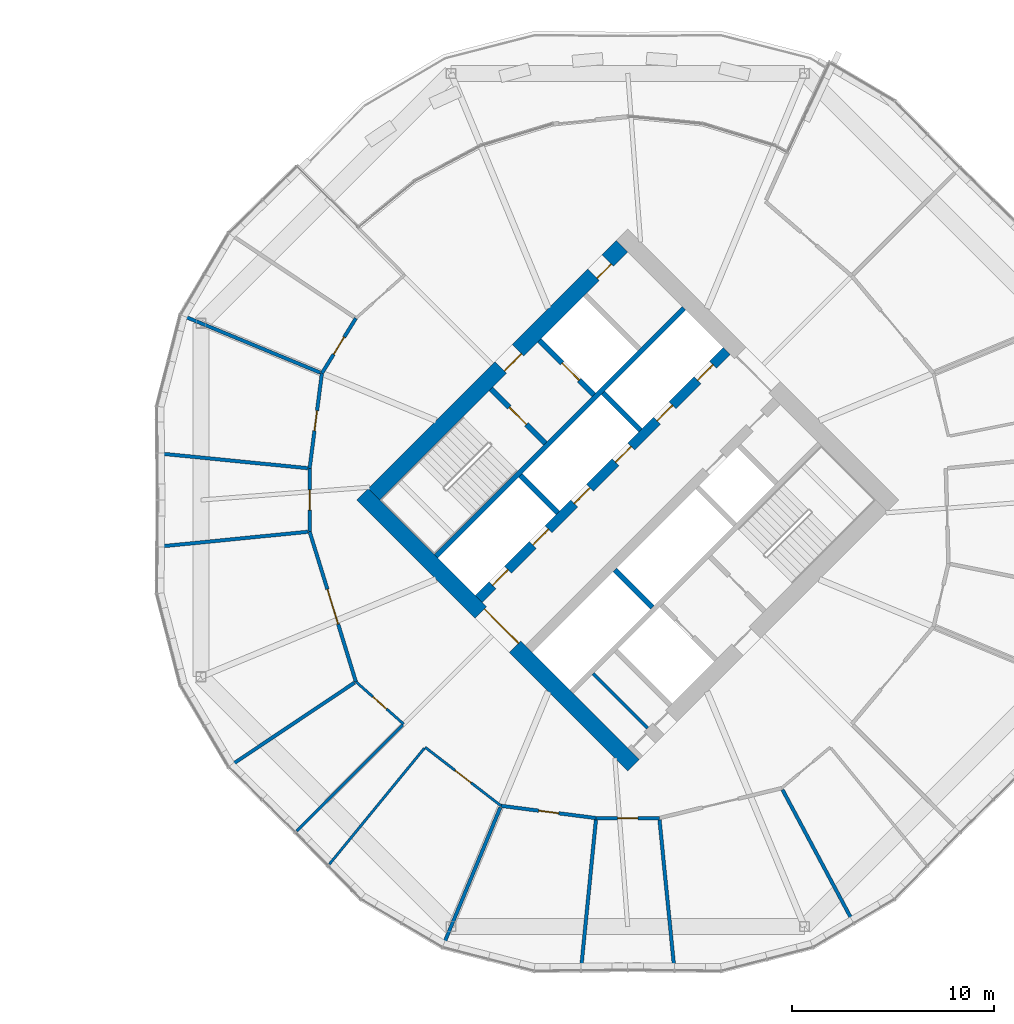
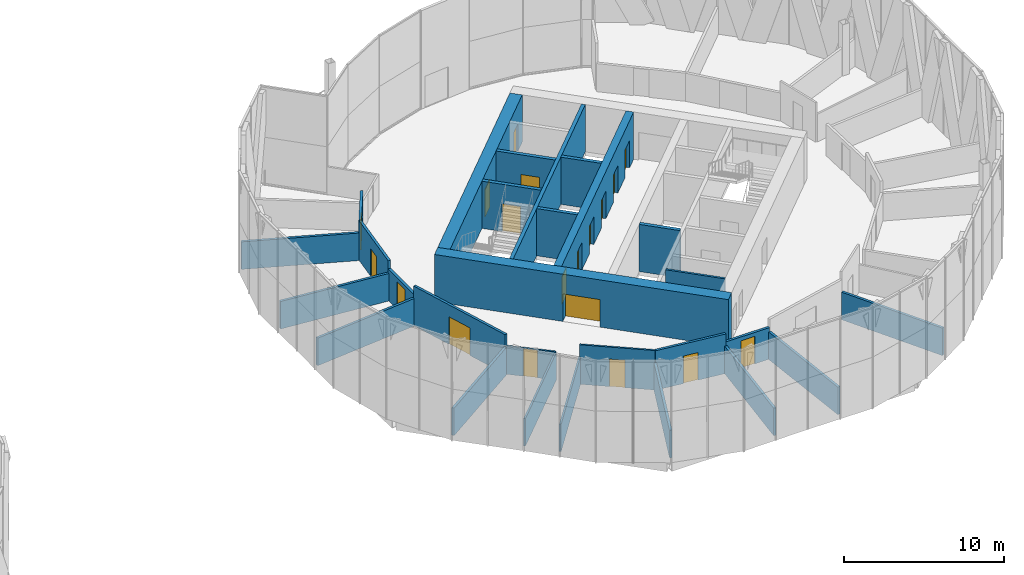
# One storey, part 24 of 31: 28 walls, 19 doors, 19 openings.
"""IFC4 building model written with IfcOpenShell, lengths in metres."""

from ifc_helpers import new_model, si_unit, direction, frame, frame_2d, origin, place, context, subcontext, project, spatial, rectangle, extrude, material, layer, layer_set, type_object, element, fill, save


model = new_model("IFC4")

# Units and contexts
model_context = context("Model", 3, precision=1e-05, world=origin(), true_north=direction((0.0, 1.0)))
body_context = subcontext(model_context, "Body", "Model", "MODEL_VIEW")
ifc_project = project(units=[si_unit("LENGTHUNIT", "METRE"), si_unit("AREAUNIT", "SQUARE_METRE"), si_unit("VOLUMEUNIT", "CUBIC_METRE"), si_unit("PLANEANGLEUNIT", "RADIAN"), si_unit("MASSUNIT", "GRAM", prefix="KILO")], contexts=[model_context])

# Site, building, storey
site_placement = place(None, origin())
site = spatial("IfcSite", under=ifc_project, at=site_placement, CompositionType="ELEMENT")
building_placement = place(site_placement, origin())
building = spatial("IfcBuilding", under=site, at=building_placement, Name="Ogive Gate Towers", CompositionType="ELEMENT")
storey_placement = place(building_placement, frame((0.0, 0.0, 63.60009765625)))
storey = spatial("IfcBuildingStorey", under=building, at=storey_placement, Name="L14", CompositionType="ELEMENT", Elevation=63.60009765625)

# Walls
ifc_material_1 = material(Name="Gypsum board acoustic partition")
ifc_layer_1 = layer(ifc_material_1, 0.175048828125)
ifc_layer_set_1 = layer_set([ifc_layer_1], Name="Acoustic partition 175")
wall_type_1 = type_object("IfcWallType", Name="Acoustic partition 175", PredefinedType="PARTITIONING", material=ifc_layer_set_1)
for number, where, z_axis, x_axis, name in (
    (1, (13.909912109375, 9.14990234375, 0.0), (0.0, 0.0, 1.0), (0.92387943858, -0.382683659136, 0.0), "Partition T2-L14-008"),
    (2, (12.768310546875, 2.308837890625, 0.0), (0.0, 0.0, 1.0), (0.995098680944, -0.098886880746, 0.0), "Partition T2-L14-009"),
    (3, (12.768310546875, -2.308837890625, 0.0), (0.0, 0.0, 1.0), (0.995098680944, 0.098886880746, 0.0), "Partition T2-L14-010"),
    (4, (16.290283203125, -13.1787109375, 0.0), (0.0, 0.0, 1.0), (0.831293938964, 0.55583305681, 0.0), "Partition T2-L14-011"),
    (5, (26.85009765625, -22.090087890625, 0.0), (0.0, 0.0, 1.0), (0.382683659136, 0.92387943858, 0.0), "Partition T2-L14-014"),
    (6, (33.691162109375, -23.231689453125, 0.0), (0.0, 0.0, 1.0), (0.098886880746, 0.995098680944, 0.0), "Partition T2-L14-015"),
    (7, (38.308837890625, -23.231689453125, 0.0), (0.0, 0.0, 1.0), (-0.098886880746, 0.995098680944, 0.0), "Partition T2-L14-016"),
    (8, (47.1640625, -20.8994140625, 0.0), (0.0, 0.0, 1.0), (-0.471152705677, 0.882051658313, 0.0), "Partition T2-L14-017"),
):
    element("IfcWall", number, at=place(storey_placement, frame(where, z_axis=z_axis, x_axis=x_axis)), inside=storey, type_object=wall_type_1, Name=name, PredefinedType="PARTITIONING", context=body_context, shape_type="SweptSolid", body=[
        extrude(rectangle(XDim=7.40673828125, YDim=0.175048828125, at=frame_2d((3.703369140625, 0.0))), origin(), (0.0, 0.0, 1.0), 2.099853515625),
    ])

# Wall, opening, door
wall_1_placement = place(storey_placement, frame((37.567626953125, -15.7744140625, 0.0), z_axis=(0.0, 0.0, 1.0), x_axis=(-1.0, 0.0, 0.0)))
wall_1 = element("IfcWall", 9, at=wall_1_placement, inside=storey, type_object=wall_type_1, Name="Partition T2-L14-030", PredefinedType="PARTITIONING", context=body_context, shape_type="SweptSolid", body=[
    extrude(rectangle(XDim=3.13525390625, YDim=0.175048828125, at=frame_2d((1.567626953125, 0.0))), origin(), (0.0, 0.0, 1.0), 2.39990234375),
])
opening_1_placement = place(wall_1_placement, frame((1.068115234375, 0.0, 0.0)))
opening_1 = element("IfcOpeningElement", 10, at=opening_1_placement, cuts=wall_1, Name="Opening T2-L14-D09", PredefinedType="OPENING", context=body_context, shape_type="SweptSolid", body=[
    extrude(rectangle(XDim=1.0, YDim=2.10009765625, at=frame_2d((0.5, 1.050048828125))), frame((0.0, 0.09765625, 0.0), z_axis=(0.0, -1.0, 0.0), x_axis=(1.0, 0.0, 0.0)), (0.0, 0.0, 1.0), 0.195068359375),
])
ifc_material_2 = material(Name="Timber door", Category="wood")
door_type_1 = type_object("IfcDoorType", Name="Door 1000", OperationType="NOTDEFINED", PredefinedType="DOOR", material=ifc_material_2)
door_1_placement = place(opening_1_placement, origin())
door_1 = element("IfcDoor", 11, at=door_1_placement, inside=storey, type_object=door_type_1, Name="Door T2-L14-D09", OperationType="SINGLE_SWING_LEFT", OverallHeight=2.10009765625, OverallWidth=1.0, PredefinedType="DOOR", context=body_context, shape_type="SweptSolid", body=[
    extrude(rectangle(XDim=1.0, YDim=2.10009765625, at=frame_2d((0.5, 1.050048828125))), frame((0.0, 0.02490234375, 0.0), z_axis=(0.0, -1.0, 0.0), x_axis=(1.0, 0.0, 0.0)), (0.0, 0.0, 1.0), 0.050048828125),
])
fill(opening_1, door_1)

wall_2_placement = place(storey_placement, frame((34.432373046875, -15.7744140625, 0.0), z_axis=(0.0, 0.0, 1.0), x_axis=(-0.991781861483, 0.127940373742, 0.0)))
wall_2 = element("IfcWall", 12, at=wall_2_placement, inside=storey, type_object=wall_type_1, Name="Partition T2-L14-031", PredefinedType="PARTITIONING", context=body_context, shape_type="SweptSolid", body=[
    extrude(rectangle(XDim=4.75341796875, YDim=0.175048828125, at=frame_2d((2.376708984375, 0.0))), origin(), (0.0, 0.0, 1.0), 3.010009765625),
])
opening_2_placement = place(wall_2_placement, frame((1.876953125, 0.0, 0.0)))
opening_2 = element("IfcOpeningElement", 13, at=opening_2_placement, cuts=wall_2, Name="Opening T2-L14-D10", PredefinedType="OPENING", context=body_context, shape_type="SweptSolid", body=[
    extrude(rectangle(XDim=1.0, YDim=2.10009765625, at=frame_2d((0.5, 1.050048828125))), frame((0.0, 0.09765625, 0.0), z_axis=(0.0, -1.0, 0.0), x_axis=(1.0, 0.0, 0.0)), (0.0, 0.0, 1.0), 0.195068359375),
])
door_2_placement = place(opening_2_placement, origin())
door_2 = element("IfcDoor", 14, at=door_2_placement, inside=storey, type_object=door_type_1, Name="Door T2-L14-D10", OperationType="SINGLE_SWING_RIGHT", OverallHeight=2.10009765625, OverallWidth=1.0, PredefinedType="DOOR", context=body_context, shape_type="SweptSolid", body=[
    extrude(rectangle(XDim=1.0, YDim=2.10009765625, at=frame_2d((0.5, 1.050048828125))), frame((0.0, 0.02490234375, 0.0), z_axis=(0.0, -1.0, 0.0), x_axis=(1.0, 0.0, 0.0)), (0.0, 0.0, 1.0), 0.050048828125),
])
fill(opening_2, door_2)

wall_3_placement = place(storey_placement, frame((22.520263671875, -9.012939453125, 0.0), z_axis=(0.0, 0.0, 1.0), x_axis=(-0.294532829229, 0.955641361865, 0.0)))
wall_3 = element("IfcWall", 15, at=wall_3_placement, inside=storey, type_object=wall_type_1, Name="Partition T2-L14-034", PredefinedType="PARTITIONING", context=body_context, shape_type="SweptSolid", body=[
    extrude(rectangle(XDim=7.791015625, YDim=0.175048828125, at=frame_2d((3.8955078125, 0.0))), origin(), (0.0, 0.0, 1.0), 3.010009765625),
])
opening_3_placement = place(wall_3_placement, frame((2.9951171875, 0.0, 0.0)))
opening_3 = element("IfcOpeningElement", 16, at=opening_3_placement, cuts=wall_3, Name="Opening T2-L14-D13", PredefinedType="OPENING", context=body_context, shape_type="SweptSolid", body=[
    extrude(rectangle(XDim=1.800048828125, YDim=2.10009765625, at=frame_2d((0.89990234375, 1.050048828125))), frame((0.0, 0.09765625, 0.0), z_axis=(0.0, -1.0, 0.0), x_axis=(1.0, 0.0, 0.0)), (0.0, 0.0, 1.0), 0.195068359375),
])
door_type_2 = type_object("IfcDoorType", Name="Door pair 1800", OperationType="NOTDEFINED", PredefinedType="DOOR", material=ifc_material_2)
door_3_placement = place(opening_3_placement, origin())
door_3 = element("IfcDoor", 17, at=door_3_placement, inside=storey, type_object=door_type_2, Name="Door T2-L14-D13", OperationType="DOUBLE_DOOR_DOUBLE_SWING", OverallHeight=2.10009765625, OverallWidth=1.800048828125, PredefinedType="DOOR", context=body_context, shape_type="SweptSolid", body=[
    extrude(rectangle(XDim=1.800048828125, YDim=2.10009765625, at=frame_2d((0.89990234375, 1.050048828125))), frame((0.0, 0.02490234375, 0.0), z_axis=(0.0, -1.0, 0.0), x_axis=(1.0, 0.0, 0.0)), (0.0, 0.0, 1.0), 0.050048828125),
])
fill(opening_3, door_3)

wall_4_placement = place(storey_placement, frame((20.2255859375, -1.567626953125, 0.0), z_axis=(0.0, 0.0, 1.0), x_axis=(0.0, 1.0, 0.0)))
wall_4 = element("IfcWall", 18, at=wall_4_placement, inside=storey, type_object=wall_type_1, Name="Partition T2-L14-035", PredefinedType="PARTITIONING", context=body_context, shape_type="SweptSolid", body=[
    extrude(rectangle(XDim=3.13525390625, YDim=0.175048828125, at=frame_2d((1.567626953125, 0.0))), origin(), (0.0, 0.0, 1.0), 2.39990234375),
])
opening_4_placement = place(wall_4_placement, frame((1.068115234375, 0.0, 0.0)))
opening_4 = element("IfcOpeningElement", 19, at=opening_4_placement, cuts=wall_4, Name="Opening T2-L14-D14", PredefinedType="OPENING", context=body_context, shape_type="SweptSolid", body=[
    extrude(rectangle(XDim=1.0, YDim=2.10009765625, at=frame_2d((0.5, 1.050048828125))), frame((0.0, 0.09765625, 0.0), z_axis=(0.0, -1.0, 0.0), x_axis=(1.0, 0.0, 0.0)), (0.0, 0.0, 1.0), 0.195068359375),
])
door_4_placement = place(opening_4_placement, origin())
door_4 = element("IfcDoor", 20, at=door_4_placement, inside=storey, type_object=door_type_1, Name="Door T2-L14-D14", OperationType="SINGLE_SWING_LEFT", OverallHeight=2.10009765625, OverallWidth=1.0, PredefinedType="DOOR", context=body_context, shape_type="SweptSolid", body=[
    extrude(rectangle(XDim=1.0, YDim=2.10009765625, at=frame_2d((0.5, 1.050048828125))), frame((0.0, 0.02490234375, 0.0), z_axis=(0.0, -1.0, 0.0), x_axis=(1.0, 0.0, 0.0)), (0.0, 0.0, 1.0), 0.050048828125),
])
fill(opening_4, door_4)

wall_5_placement = place(storey_placement, frame((20.2255859375, 1.567626953125, 0.0), z_axis=(0.0, 0.0, 1.0), x_axis=(0.127940373742, 0.991781861483, 0.0)))
wall_5 = element("IfcWall", 21, at=wall_5_placement, inside=storey, type_object=wall_type_1, Name="Partition T2-L14-036", PredefinedType="PARTITIONING", context=body_context, shape_type="SweptSolid", body=[
    extrude(rectangle(XDim=4.75341796875, YDim=0.175048828125, at=frame_2d((2.376708984375, 0.0))), origin(), (0.0, 0.0, 1.0), 3.010009765625),
])
opening_5_placement = place(wall_5_placement, frame((1.876953125, 0.0, 0.0)))
opening_5 = element("IfcOpeningElement", 22, at=opening_5_placement, cuts=wall_5, Name="Opening T2-L14-D15", PredefinedType="OPENING", context=body_context, shape_type="SweptSolid", body=[
    extrude(rectangle(XDim=1.0, YDim=2.10009765625, at=frame_2d((0.5, 1.050048828125))), frame((0.0, 0.09765625, 0.0), z_axis=(0.0, -1.0, 0.0), x_axis=(1.0, 0.0, 0.0)), (0.0, 0.0, 1.0), 0.195068359375),
])
door_5_placement = place(opening_5_placement, origin())
door_5 = element("IfcDoor", 23, at=door_5_placement, inside=storey, type_object=door_type_1, Name="Door T2-L14-D15", OperationType="SINGLE_SWING_LEFT", OverallHeight=2.10009765625, OverallWidth=1.0, PredefinedType="DOOR", context=body_context, shape_type="SweptSolid", body=[
    extrude(rectangle(XDim=1.0, YDim=2.10009765625, at=frame_2d((0.5, 1.050048828125))), frame((0.0, 0.02490234375, 0.0), z_axis=(0.0, -1.0, 0.0), x_axis=(1.0, 0.0, 0.0)), (0.0, 0.0, 1.0), 0.050048828125),
])
fill(opening_5, door_5)

wall_6_placement = place(storey_placement, frame((20.833740234375, 6.281982421875, 0.0), z_axis=(0.0, 0.0, 1.0), x_axis=(0.525437821433, 0.850832002106, 0.0)))
wall_6 = element("IfcWall", 24, at=wall_6_placement, inside=storey, type_object=wall_type_1, Name="Partition T2-L14-037", PredefinedType="PARTITIONING", context=body_context, shape_type="SweptSolid", body=[
    extrude(rectangle(XDim=3.209716796875, YDim=0.175048828125, at=frame_2d((1.60498046875, 0.0))), origin(), (0.0, 0.0, 1.0), 3.010009765625),
])
opening_6_placement = place(wall_6_placement, frame((1.10498046875, 0.0, 0.0)))
opening_6 = element("IfcOpeningElement", 25, at=opening_6_placement, cuts=wall_6, Name="Opening T2-L14-D16", PredefinedType="OPENING", context=body_context, shape_type="SweptSolid", body=[
    extrude(rectangle(XDim=1.0, YDim=2.10009765625, at=frame_2d((0.5, 1.050048828125))), frame((0.0, 0.09765625, 0.0), z_axis=(0.0, -1.0, 0.0), x_axis=(1.0, 0.0, 0.0)), (0.0, 0.0, 1.0), 0.195068359375),
])
door_6_placement = place(opening_6_placement, origin())
door_6 = element("IfcDoor", 26, at=door_6_placement, inside=storey, type_object=door_type_1, Name="Door T2-L14-D16", OperationType="SINGLE_SWING_RIGHT", OverallHeight=2.10009765625, OverallWidth=1.0, PredefinedType="DOOR", context=body_context, shape_type="SweptSolid", body=[
    extrude(rectangle(XDim=1.0, YDim=2.10009765625, at=frame_2d((0.5, 1.050048828125))), frame((0.0, 0.02490234375, 0.0), z_axis=(0.0, -1.0, 0.0), x_axis=(1.0, 0.0, 0.0)), (0.0, 0.0, 1.0), 0.050048828125),
])
fill(opening_6, door_6)

# Wall, openings, doors
ifc_material_3 = material(Name="Concrete C60/75", Category="concrete")
ifc_layer_2 = layer(ifc_material_3, 0.800048828125)
ifc_layer_set_2 = layer_set([ifc_layer_2], Name="Core wall 800 mm")
wall_type_2 = type_object("IfcWallType", Name="Core wall 800 mm", PredefinedType="SHEAR", material=ifc_layer_set_2)
wall_7_placement = place(storey_placement, frame((23.41357421875, 0.28271484375, 0.0), z_axis=(0.0, 0.0, 1.0), x_axis=(0.707106781187, 0.707106781187, 0.0)))
wall_7 = element("IfcWall", 27, at=wall_7_placement, inside=storey, type_object=wall_type_2, Name="T2 L14 Core wall 800 mm", PredefinedType="SHEAR", context=body_context, shape_type="SweptSolid", body=[
    extrude(rectangle(XDim=17.400146484375, YDim=0.800048828125, at=frame_2d((8.7001953125, 0.0))), origin(), (0.0, 0.0, 1.0), 3.599853515625),
])
opening_7_placement = place(wall_7_placement, frame((8.89990234375, 0.0, 0.0)))
opening_7 = element("IfcOpeningElement", 28, at=opening_7_placement, cuts=wall_7, Name="Opening KD-T2-L14-15", PredefinedType="OPENING", context=body_context, shape_type="SweptSolid", body=[
    extrude(rectangle(XDim=1.199951171875, YDim=2.10009765625, at=frame_2d((0.60009765625, 1.050048828125))), frame((0.0, 0.41015625, 0.0), z_axis=(0.0, -1.0, 0.0), x_axis=(1.0, 0.0, 0.0)), (0.0, 0.0, 1.0), 0.820068359375),
])
opening_8_placement = place(wall_7_placement, frame((15.39990234375, 0.0, 0.0)))
opening_8 = element("IfcOpeningElement", 29, at=opening_8_placement, cuts=wall_7, Name="Opening KD-T2-L14-17", PredefinedType="OPENING", context=body_context, shape_type="SweptSolid", body=[
    extrude(rectangle(XDim=1.0, YDim=2.10009765625, at=frame_2d((0.5, 1.050048828125))), frame((0.0, 0.41015625, 0.0), z_axis=(0.0, -1.0, 0.0), x_axis=(1.0, 0.0, 0.0)), (0.0, 0.0, 1.0), 0.820068359375),
])
door_type_3 = type_object("IfcDoorType", Name="Accessible WC door 1000 x 2100", OperationType="NOTDEFINED", PredefinedType="DOOR", material=ifc_material_2)
door_7_placement = place(opening_8_placement, origin())
door_7 = element("IfcDoor", 30, at=door_7_placement, inside=storey, type_object=door_type_3, Name="T2 L14 Core door", OperationType="SINGLE_SWING_RIGHT", OverallHeight=2.10009765625, OverallWidth=1.0, PredefinedType="DOOR", context=body_context, shape_type="SweptSolid", body=[
    extrude(rectangle(XDim=1.0, YDim=2.10009765625, at=frame_2d((0.5, 1.050048828125))), frame((0.0, -0.22509765625, 0.0), z_axis=(0.0, -1.0, 0.0), x_axis=(1.0, 0.0, 0.0)), (0.0, 0.0, 1.0), 0.050048828125),
])
fill(opening_8, door_7)
ifc_material_4 = material(Name="Steel fire door", Category="steel")
door_type_4 = type_object("IfcDoorType", Name="Core door FD60S 1200 x 2100", OperationType="NOTDEFINED", PredefinedType="DOOR", material=ifc_material_4)
door_8_placement = place(opening_7_placement, origin())
door_8 = element("IfcDoor", 31, at=door_8_placement, inside=storey, type_object=door_type_4, Name="T2 L14 Fire-fighting lobby door", OperationType="SINGLE_SWING_RIGHT", OverallHeight=2.10009765625, OverallWidth=1.199951171875, PredefinedType="DOOR", context=body_context, shape_type="SweptSolid", body=[
    extrude(rectangle(XDim=1.199951171875, YDim=2.10009765625, at=frame_2d((0.60009765625, 1.050048828125))), frame((0.0, -0.22509765625, 0.0), z_axis=(0.0, -1.0, 0.0), x_axis=(1.0, 0.0, 0.0)), (0.0, 0.0, 1.0), 0.050048828125),
])
fill(opening_7, door_8)

# Wall, opening, door
wall_8_placement = place(storey_placement, frame((36.28271484375, -13.152099609375, 0.0), z_axis=(0.0, 0.0, 1.0), x_axis=(-0.707106781187, 0.707106781187, 0.0)))
wall_8 = element("IfcWall", 32, at=wall_8_placement, inside=storey, type_object=wall_type_2, Name="T2 L14 Core wall 800 mm", PredefinedType="SHEAR", context=body_context, shape_type="SweptSolid", body=[
    extrude(rectangle(XDim=18.999755859375, YDim=0.800048828125, at=frame_2d((9.5, 0.0))), origin(), (0.0, 0.0, 1.0), 3.599853515625),
])
opening_9_placement = place(wall_8_placement, frame((8.300048828125, 0.0, 0.0)))
opening_9 = element("IfcOpeningElement", 33, at=opening_9_placement, cuts=wall_8, Name="Opening KD-T2-L14-01", PredefinedType="OPENING", context=body_context, shape_type="SweptSolid", body=[
    extrude(rectangle(XDim=2.39990234375, YDim=2.10009765625, at=frame_2d((1.199951171875, 1.050048828125))), frame((0.0, 0.41015625, 0.0), z_axis=(0.0, -1.0, 0.0), x_axis=(1.0, 0.0, 0.0)), (0.0, 0.0, 1.0), 0.820068359375),
])
door_type_5 = type_object("IfcDoorType", Name="Core double door FD60S 2400 x 2100", OperationType="DOUBLE_DOOR_SINGLE_SWING", PredefinedType="DOOR", material=ifc_material_4)
door_9_placement = place(opening_9_placement, origin())
door_9 = element("IfcDoor", 34, at=door_9_placement, inside=storey, type_object=door_type_5, Name="T2 L14 Core door double", OperationType="DOUBLE_DOOR_SINGLE_SWING", OverallHeight=2.10009765625, OverallWidth=2.39990234375, PredefinedType="DOOR", context=body_context, shape_type="SweptSolid", body=[
    extrude(rectangle(XDim=2.39990234375, YDim=2.10009765625, at=frame_2d((1.199951171875, 1.050048828125))), frame((0.0, -0.22509765625, 0.0), z_axis=(0.0, -1.0, 0.0), x_axis=(1.0, 0.0, 0.0)), (0.0, 0.0, 1.0), 0.050048828125),
])
fill(opening_9, door_9)

# Walls
ifc_material_5 = material(Name="Gypsum board partition")
ifc_layer_3 = layer(ifc_material_5, 0.125)
ifc_layer_set_3 = layer_set([ifc_layer_3], Name="Partition 125")
wall_type_3 = type_object("IfcWallType", Name="Partition 125", PredefinedType="PARTITIONING", material=ifc_layer_set_3)
wall_9_placement = place(storey_placement, frame((19.588623046875, -16.411376953125, 0.0), z_axis=(0.0, 0.0, 1.0), x_axis=(0.707106781187, 0.707106781187, 0.0)))
element("IfcWall", 35, at=wall_9_placement, inside=storey, type_object=wall_type_3, Name="Partition T2-L14-012", PredefinedType="PARTITIONING", context=body_context, shape_type="SweptSolid", body=[
    extrude(rectangle(XDim=7.431884765625, YDim=0.125, at=frame_2d((3.7158203125, 0.0))), origin(), (0.0, 0.0, 1.0), 2.099853515625),
])
wall_10_placement = place(storey_placement, frame((21.205322265625, -18.06005859375, 0.0), z_axis=(0.0, 0.0, 1.0), x_axis=(0.633699220446, 0.773579535669, 0.0)))
element("IfcWall", 36, at=wall_10_placement, inside=storey, type_object=wall_type_3, Name="Partition T2-L14-013", PredefinedType="PARTITIONING", context=body_context, shape_type="SweptSolid", body=[
    extrude(rectangle(XDim=7.431640625, YDim=0.125, at=frame_2d((3.7158203125, 0.0))), origin(), (0.0, 0.0, 1.0), 2.099853515625),
])

# Wall, opening, door
wall_11_placement = place(storey_placement, frame((29.718017578125, -15.166259765625, 0.0), z_axis=(0.0, 0.0, 1.0), x_axis=(-0.791765932575, 0.610824613137, 0.0)))
wall_11 = element("IfcWall", 37, at=wall_11_placement, inside=storey, type_object=wall_type_3, Name="Partition T2-L14-032", PredefinedType="PARTITIONING", context=body_context, shape_type="SweptSolid", body=[
    extrude(rectangle(XDim=4.75341796875, YDim=0.125, at=frame_2d((2.376708984375, 0.0))), origin(), (0.0, 0.0, 1.0), 3.010009765625),
])
opening_10_placement = place(wall_11_placement, frame((1.876953125, 0.0, 0.0)))
opening_10 = element("IfcOpeningElement", 38, at=opening_10_placement, cuts=wall_11, Name="Opening T2-L14-D11", PredefinedType="OPENING", context=body_context, shape_type="SweptSolid", body=[
    extrude(rectangle(XDim=1.0, YDim=2.10009765625, at=frame_2d((0.5, 1.050048828125))), frame((0.0, 0.072509765625, 0.0), z_axis=(0.0, -1.0, 0.0), x_axis=(1.0, 0.0, 0.0)), (0.0, 0.0, 1.0), 0.14501953125),
])
door_10_placement = place(opening_10_placement, origin())
door_10 = element("IfcDoor", 39, at=door_10_placement, inside=storey, type_object=door_type_1, Name="Door T2-L14-D11", OperationType="SINGLE_SWING_RIGHT", OverallHeight=2.10009765625, OverallWidth=1.0, PredefinedType="DOOR", context=body_context, shape_type="SweptSolid", body=[
    extrude(rectangle(XDim=1.0, YDim=2.10009765625, at=frame_2d((0.5, 1.050048828125))), frame((0.0, 0.02490234375, 0.0), z_axis=(0.0, -1.0, 0.0), x_axis=(1.0, 0.0, 0.0)), (0.0, 0.0, 1.0), 0.050048828125),
])
fill(opening_10, door_10)

wall_12_placement = place(storey_placement, frame((24.887939453125, -11.112060546875, 0.0), z_axis=(0.0, 0.0, 1.0), x_axis=(-0.748268594098, 0.663395893179, 0.0)))
wall_12 = element("IfcWall", 40, at=wall_12_placement, inside=storey, type_object=wall_type_3, Name="Partition T2-L14-033", PredefinedType="PARTITIONING", context=body_context, shape_type="SweptSolid", body=[
    extrude(rectangle(XDim=3.164306640625, YDim=0.125, at=frame_2d((1.58203125, 0.0))), origin(), (0.0, 0.0, 1.0), 2.139892578125),
])
opening_11_placement = place(wall_12_placement, frame((1.132080078125, 0.0, 0.0)))
opening_11 = element("IfcOpeningElement", 41, at=opening_11_placement, cuts=wall_12, Name="Opening T2-L14-D12", PredefinedType="OPENING", context=body_context, shape_type="SweptSolid", body=[
    extrude(rectangle(XDim=0.89990234375, YDim=2.10009765625, at=frame_2d((0.449951171875, 1.050048828125))), frame((0.0, 0.072509765625, 0.0), z_axis=(0.0, -1.0, 0.0), x_axis=(1.0, 0.0, 0.0)), (0.0, 0.0, 1.0), 0.14501953125),
])
door_type_6 = type_object("IfcDoorType", Name="Door 900", OperationType="NOTDEFINED", PredefinedType="DOOR", material=ifc_material_2)
door_11_placement = place(opening_11_placement, origin())
door_11 = element("IfcDoor", 42, at=door_11_placement, inside=storey, type_object=door_type_6, Name="Door T2-L14-D12", OperationType="SINGLE_SWING_LEFT", OverallHeight=2.10009765625, OverallWidth=0.89990234375, PredefinedType="DOOR", context=body_context, shape_type="SweptSolid", body=[
    extrude(rectangle(XDim=0.89990234375, YDim=2.10009765625, at=frame_2d((0.449951171875, 1.050048828125))), frame((0.0, 0.02490234375, 0.0), z_axis=(0.0, -1.0, 0.0), x_axis=(1.0, 0.0, 0.0)), (0.0, 0.0, 1.0), 0.050048828125),
])
fill(opening_11, door_11)

# Walls
ifc_layer_4 = layer(ifc_material_5, 0.14990234375)
ifc_layer_set_4 = layer_set([ifc_layer_4], Name="Room partition 150 mm")
wall_type_4 = type_object("IfcWallType", Name="Room partition 150 mm", PredefinedType="PARTITIONING", material=ifc_layer_set_4)
wall_13_placement = place(storey_placement, frame((36.989990234375, -11.313720703125, 0.0), z_axis=(0.0, 0.0, 1.0), x_axis=(-0.707074866995, 0.707138693938, 0.0)))
element("IfcWall", 43, at=wall_13_placement, inside=storey, type_object=wall_type_4, Name="T2 L14 Room partition 150 mm", PredefinedType="PARTITIONING", context=body_context, shape_type="SweptSolid", body=[
    extrude(rectangle(XDim=3.824951171875, YDim=0.14990234375, at=frame_2d((1.91259765625, 0.0))), origin(), (0.0, 0.0, 1.0), 3.599853515625),
])
ifc_layer_5 = layer(ifc_material_3, 0.25)
ifc_layer_set_5 = layer_set([ifc_layer_5], Name="Shaft wall 250 mm")
wall_type_5 = type_object("IfcWallType", Name="Shaft wall 250 mm", PredefinedType="SHEAR", material=ifc_layer_set_5)
wall_14_placement = place(storey_placement, frame((26.489501953125, -2.793212890625, 0.0), z_axis=(0.0, 0.0, 1.0), x_axis=(0.707106781187, 0.707106781187, 0.0)))
element("IfcWall", 44, at=wall_14_placement, inside=storey, type_object=wall_type_5, Name="T2 L14 Shaft wall 250 mm", PredefinedType="SHEAR", context=body_context, shape_type="SweptSolid", body=[
    extrude(rectangle(XDim=17.400146484375, YDim=0.25, at=frame_2d((8.7001953125, 0.0))), origin(), (0.0, 0.0, 1.0), 3.599853515625),
])
for number, where, z_axis, x_axis, name in (
    (45, (37.2197265625, -5.321044921875, 0.0), (0.0, 0.0, 1.0), (-0.707106781187, 0.707106781187, 0.0), "T2 L14 Shaft wall 250 mm"),
    (46, (32.53515625, -0.636474609375, 0.0), (0.0, 0.0, 1.0), (-0.707106781187, 0.707106781187, 0.0), "T2 L14 Shaft wall 250 mm"),
):
    element("IfcWall", number, at=place(storey_placement, frame(where, z_axis=z_axis, x_axis=x_axis)), inside=storey, type_object=wall_type_5, Name=name, PredefinedType="SHEAR", context=body_context, shape_type="SweptSolid", body=[
        extrude(rectangle(XDim=2.625, YDim=0.25, at=frame_2d((1.3125, 0.0))), origin(), (0.0, 0.0, 1.0), 3.599853515625),
    ])

# Wall, opening, door
wall_15_placement = place(storey_placement, frame((31.91650390625, 2.810791015625, 0.0), z_axis=(0.0, 0.0, 1.0), x_axis=(-0.707106781187, 0.707106781187, 0.0)))
wall_15 = element("IfcWall", 47, at=wall_15_placement, inside=storey, type_object=wall_type_5, Name="T2 L14 Shaft wall 250 mm", PredefinedType="SHEAR", context=body_context, shape_type="SweptSolid", body=[
    extrude(rectangle(XDim=3.824951171875, YDim=0.25, at=frame_2d((1.91259765625, 0.0))), origin(), (0.0, 0.0, 1.0), 3.599853515625),
])
opening_12_placement = place(wall_15_placement, frame((1.324951171875, 0.0, 0.0)))
opening_12 = element("IfcOpeningElement", 48, at=opening_12_placement, cuts=wall_15, Name="Opening KD-T2-L14-13", PredefinedType="OPENING", context=body_context, shape_type="SweptSolid", body=[
    extrude(rectangle(XDim=1.199951171875, YDim=2.10009765625, at=frame_2d((0.60009765625, 1.050048828125))), frame((0.0, 0.135009765625, 0.0), z_axis=(0.0, -1.0, 0.0), x_axis=(1.0, 0.0, 0.0)), (0.0, 0.0, 1.0), 0.27001953125),
])
door_12_placement = place(opening_12_placement, origin())
door_12 = element("IfcDoor", 49, at=door_12_placement, inside=storey, type_object=door_type_4, Name="T2 L14 Stair door", OperationType="SINGLE_SWING_RIGHT", OverallHeight=2.10009765625, OverallWidth=1.199951171875, PredefinedType="DOOR", context=body_context, shape_type="SweptSolid", body=[
    extrude(rectangle(XDim=1.199951171875, YDim=2.10009765625, at=frame_2d((0.60009765625, 1.050048828125))), frame((0.0, 0.02490234375, 0.0), z_axis=(0.0, -1.0, 0.0), x_axis=(1.0, 0.0, 0.0)), (0.0, 0.0, 1.0), 0.050048828125),
])
fill(opening_12, door_12)

wall_16_placement = place(storey_placement, frame((34.320556640625, 5.21484375, 0.0), z_axis=(0.0, 0.0, 1.0), x_axis=(-0.707074866995, 0.707138693938, 0.0)))
wall_16 = element("IfcWall", 50, at=wall_16_placement, inside=storey, type_object=wall_type_5, Name="T2 L14 Shaft wall 250 mm", PredefinedType="SHEAR", context=body_context, shape_type="SweptSolid", body=[
    extrude(rectangle(XDim=3.824951171875, YDim=0.25, at=frame_2d((1.91259765625, 0.0))), origin(), (0.0, 0.0, 1.0), 3.599853515625),
])
opening_13_placement = place(wall_16_placement, frame((1.02490234375, 0.0, 0.0)))
opening_13 = element("IfcOpeningElement", 51, at=opening_13_placement, cuts=wall_16, Name="Opening LD-T2-L14-10", PredefinedType="OPENING", context=body_context, shape_type="SweptSolid", body=[
    extrude(rectangle(XDim=1.199951171875, YDim=2.10009765625, at=frame_2d((0.60009765625, 1.050048828125))), frame((0.0, 0.135009765625, 0.0), z_axis=(0.0, -1.0, 0.0), x_axis=(1.0, 0.0, 0.0)), (0.0, 0.0, 1.0), 0.27001953125),
])
ifc_material_6 = material(Name="Stainless steel landing door", Category="steel")
door_type_7 = type_object("IfcDoorType", Name="Landing door 1200 x 2100", OperationType="SLIDING_TO_LEFT", PredefinedType="DOOR", material=ifc_material_6)
door_13_placement = place(opening_13_placement, origin())
door_13 = element("IfcDoor", 52, at=door_13_placement, inside=storey, type_object=door_type_7, Name="T2 L14 Lift landing door FF1", OperationType="SLIDING_TO_LEFT", OverallHeight=2.10009765625, OverallWidth=1.199951171875, PredefinedType="DOOR", context=body_context, shape_type="SweptSolid", body=[
    extrude(rectangle(XDim=1.199951171875, YDim=2.10009765625, at=frame_2d((0.60009765625, 1.050048828125))), frame((0.0, 0.02490234375, 0.0), z_axis=(0.0, -1.0, 0.0), x_axis=(1.0, 0.0, 0.0)), (0.0, 0.0, 1.0), 0.050048828125),
])
fill(opening_13, door_13)

# Wall
wall_17_placement = place(storey_placement, frame((36.636474609375, 3.46484375, 0.0), z_axis=(0.0, 0.0, 1.0), x_axis=(-0.707106781187, 0.707106781187, 0.0)))
element("IfcWall", 53, at=wall_17_placement, inside=storey, type_object=wall_type_5, Name="T2 L14 Shaft wall 250 mm", PredefinedType="SHEAR", context=body_context, shape_type="SweptSolid", body=[
    extrude(rectangle(XDim=2.625, YDim=0.25, at=frame_2d((1.3125, 0.0))), origin(), (0.0, 0.0, 1.0), 3.599853515625),
])

# Wall, openings, doors
ifc_layer_6 = layer(ifc_material_3, 0.5)
ifc_layer_set_6 = layer_set([ifc_layer_6], Name="Spine wall 500 mm")
wall_type_6 = type_object("IfcWallType", Name="Spine wall 500 mm", PredefinedType="SHEAR", material=ifc_layer_set_6)
wall_18_placement = place(storey_placement, frame((28.610595703125, -4.914306640625, 0.0), z_axis=(0.0, 0.0, 1.0), x_axis=(0.707106781187, 0.707106781187, 0.0)))
wall_18 = element("IfcWall", 54, at=wall_18_placement, inside=storey, type_object=wall_type_6, Name="T2 L14 Spine wall 500 mm", PredefinedType="SHEAR", context=body_context, shape_type="SweptSolid", body=[
    extrude(rectangle(XDim=17.400146484375, YDim=0.5, at=frame_2d((8.7001953125, 0.0))), origin(), (0.0, 0.0, 1.0), 3.599853515625),
])
opening_14_placement = place(wall_18_placement, frame((0.96240234375, 0.0, 0.0)))
opening_14 = element("IfcOpeningElement", 55, at=opening_14_placement, cuts=wall_18, Name="Opening LD-T2-L14-03", PredefinedType="OPENING", context=body_context, shape_type="SweptSolid", body=[
    extrude(rectangle(XDim=1.10009765625, YDim=2.10009765625, at=frame_2d((0.550048828125, 1.050048828125))), frame((0.0, 0.260009765625, 0.0), z_axis=(0.0, -1.0, 0.0), x_axis=(1.0, 0.0, 0.0)), (0.0, 0.0, 1.0), 0.52001953125),
])
opening_15_placement = place(wall_18_placement, frame((3.800048828125, 0.0, 0.0)))
opening_15 = element("IfcOpeningElement", 56, at=opening_15_placement, cuts=wall_18, Name="Opening LD-T2-L14-04", PredefinedType="OPENING", context=body_context, shape_type="SweptSolid", body=[
    extrude(rectangle(XDim=1.10009765625, YDim=2.10009765625, at=frame_2d((0.550048828125, 1.050048828125))), frame((0.0, 0.260009765625, 0.0), z_axis=(0.0, -1.0, 0.0), x_axis=(1.0, 0.0, 0.0)), (0.0, 0.0, 1.0), 0.52001953125),
])
opening_16_placement = place(wall_18_placement, frame((6.699951171875, 0.0, 0.0)))
opening_16 = element("IfcOpeningElement", 57, at=opening_16_placement, cuts=wall_18, Name="Opening LD-T2-L14-05", PredefinedType="OPENING", context=body_context, shape_type="SweptSolid", body=[
    extrude(rectangle(XDim=1.10009765625, YDim=2.10009765625, at=frame_2d((0.550048828125, 1.050048828125))), frame((0.0, 0.260009765625, 0.0), z_axis=(0.0, -1.0, 0.0), x_axis=(1.0, 0.0, 0.0)), (0.0, 0.0, 1.0), 0.52001953125),
])
opening_17_placement = place(wall_18_placement, frame((9.60009765625, 0.0, 0.0)))
opening_17 = element("IfcOpeningElement", 58, at=opening_17_placement, cuts=wall_18, Name="Opening LD-T2-L14-06", PredefinedType="OPENING", context=body_context, shape_type="SweptSolid", body=[
    extrude(rectangle(XDim=1.10009765625, YDim=2.10009765625, at=frame_2d((0.550048828125, 1.050048828125))), frame((0.0, 0.260009765625, 0.0), z_axis=(0.0, -1.0, 0.0), x_axis=(1.0, 0.0, 0.0)), (0.0, 0.0, 1.0), 0.52001953125),
])
opening_18_placement = place(wall_18_placement, frame((12.5, 0.0, 0.0)))
opening_18 = element("IfcOpeningElement", 59, at=opening_18_placement, cuts=wall_18, Name="Opening LD-T2-L14-07", PredefinedType="OPENING", context=body_context, shape_type="SweptSolid", body=[
    extrude(rectangle(XDim=1.10009765625, YDim=2.10009765625, at=frame_2d((0.550048828125, 1.050048828125))), frame((0.0, 0.260009765625, 0.0), z_axis=(0.0, -1.0, 0.0), x_axis=(1.0, 0.0, 0.0)), (0.0, 0.0, 1.0), 0.52001953125),
])
opening_19_placement = place(wall_18_placement, frame((15.33740234375, 0.0, 0.0)))
opening_19 = element("IfcOpeningElement", 60, at=opening_19_placement, cuts=wall_18, Name="Opening LD-T2-L14-08", PredefinedType="OPENING", context=body_context, shape_type="SweptSolid", body=[
    extrude(rectangle(XDim=1.10009765625, YDim=2.10009765625, at=frame_2d((0.550048828125, 1.050048828125))), frame((0.0, 0.260009765625, 0.0), z_axis=(0.0, -1.0, 0.0), x_axis=(1.0, 0.0, 0.0)), (0.0, 0.0, 1.0), 0.52001953125),
])
door_type_8 = type_object("IfcDoorType", Name="Landing door 1100 x 2100", OperationType="SLIDING_TO_LEFT", PredefinedType="DOOR", material=ifc_material_6)
door_14_placement = place(opening_14_placement, origin())
door_14 = element("IfcDoor", 61, at=door_14_placement, inside=storey, type_object=door_type_8, Name="T2 L14 Lift landing door A1", OperationType="SLIDING_TO_LEFT", OverallHeight=2.10009765625, OverallWidth=1.10009765625, PredefinedType="DOOR", context=body_context, shape_type="SweptSolid", body=[
    extrude(rectangle(XDim=1.10009765625, YDim=2.10009765625, at=frame_2d((0.550048828125, 1.050048828125))), frame((0.0, 0.02490234375, 0.0), z_axis=(0.0, -1.0, 0.0), x_axis=(1.0, 0.0, 0.0)), (0.0, 0.0, 1.0), 0.050048828125),
])
fill(opening_14, door_14)
door_15_placement = place(opening_15_placement, origin())
door_15 = element("IfcDoor", 62, at=door_15_placement, inside=storey, type_object=door_type_8, Name="T2 L14 Lift landing door A2", OperationType="SLIDING_TO_LEFT", OverallHeight=2.10009765625, OverallWidth=1.10009765625, PredefinedType="DOOR", context=body_context, shape_type="SweptSolid", body=[
    extrude(rectangle(XDim=1.10009765625, YDim=2.10009765625, at=frame_2d((0.550048828125, 1.050048828125))), frame((0.0, 0.02490234375, 0.0), z_axis=(0.0, -1.0, 0.0), x_axis=(1.0, 0.0, 0.0)), (0.0, 0.0, 1.0), 0.050048828125),
])
fill(opening_15, door_15)
door_16_placement = place(opening_16_placement, origin())
door_16 = element("IfcDoor", 63, at=door_16_placement, inside=storey, type_object=door_type_8, Name="T2 L14 Lift landing door A3", OperationType="SLIDING_TO_LEFT", OverallHeight=2.10009765625, OverallWidth=1.10009765625, PredefinedType="DOOR", context=body_context, shape_type="SweptSolid", body=[
    extrude(rectangle(XDim=1.10009765625, YDim=2.10009765625, at=frame_2d((0.550048828125, 1.050048828125))), frame((0.0, 0.02490234375, 0.0), z_axis=(0.0, -1.0, 0.0), x_axis=(1.0, 0.0, 0.0)), (0.0, 0.0, 1.0), 0.050048828125),
])
fill(opening_16, door_16)
door_17_placement = place(opening_17_placement, origin())
door_17 = element("IfcDoor", 64, at=door_17_placement, inside=storey, type_object=door_type_8, Name="T2 L14 Lift landing door A4", OperationType="SLIDING_TO_LEFT", OverallHeight=2.10009765625, OverallWidth=1.10009765625, PredefinedType="DOOR", context=body_context, shape_type="SweptSolid", body=[
    extrude(rectangle(XDim=1.10009765625, YDim=2.10009765625, at=frame_2d((0.550048828125, 1.050048828125))), frame((0.0, 0.02490234375, 0.0), z_axis=(0.0, -1.0, 0.0), x_axis=(1.0, 0.0, 0.0)), (0.0, 0.0, 1.0), 0.050048828125),
])
fill(opening_17, door_17)
door_18_placement = place(opening_18_placement, origin())
door_18 = element("IfcDoor", 65, at=door_18_placement, inside=storey, type_object=door_type_8, Name="T2 L14 Lift landing door A5", OperationType="SLIDING_TO_LEFT", OverallHeight=2.10009765625, OverallWidth=1.10009765625, PredefinedType="DOOR", context=body_context, shape_type="SweptSolid", body=[
    extrude(rectangle(XDim=1.10009765625, YDim=2.10009765625, at=frame_2d((0.550048828125, 1.050048828125))), frame((0.0, 0.02490234375, 0.0), z_axis=(0.0, -1.0, 0.0), x_axis=(1.0, 0.0, 0.0)), (0.0, 0.0, 1.0), 0.050048828125),
])
fill(opening_18, door_18)
door_19_placement = place(opening_19_placement, origin())
door_19 = element("IfcDoor", 66, at=door_19_placement, inside=storey, type_object=door_type_8, Name="T2 L14 Lift landing door A6", OperationType="SLIDING_TO_LEFT", OverallHeight=2.10009765625, OverallWidth=1.10009765625, PredefinedType="DOOR", context=body_context, shape_type="SweptSolid", body=[
    extrude(rectangle(XDim=1.10009765625, YDim=2.10009765625, at=frame_2d((0.550048828125, 1.050048828125))), frame((0.0, 0.02490234375, 0.0), z_axis=(0.0, -1.0, 0.0), x_axis=(1.0, 0.0, 0.0)), (0.0, 0.0, 1.0), 0.050048828125),
])
fill(opening_19, door_19)

save(model, "model.ifc")
